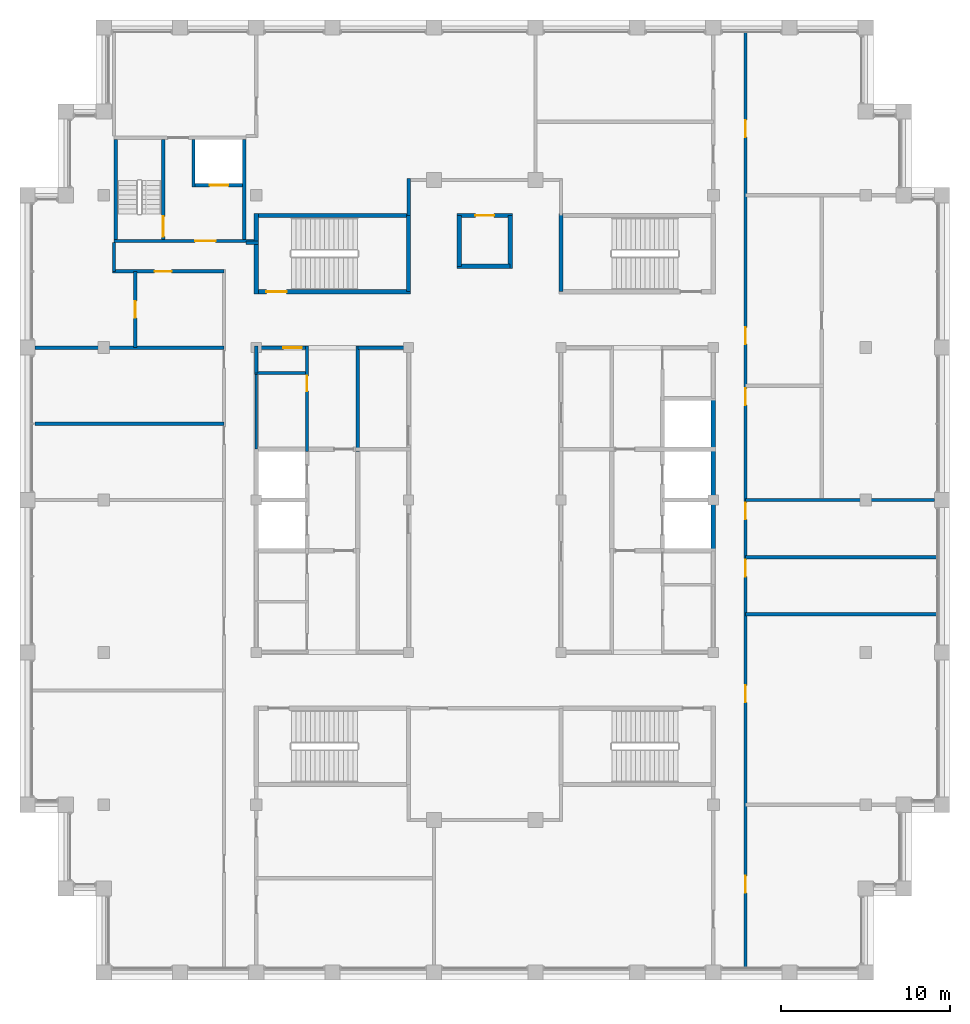
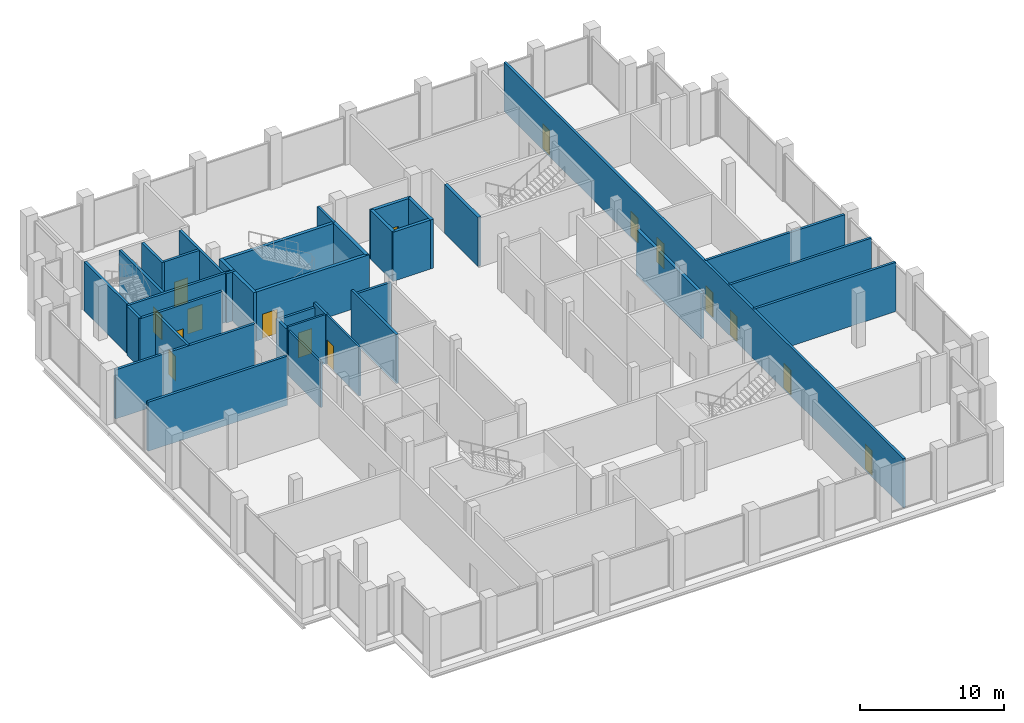
# One storey, part 10 of 13: 35 walls, 16 doors, 16 openings.
"""IFC4 building model written with IfcOpenShell, lengths in metres."""

from ifc_helpers import new_model, si_unit, direction, frame, frame_2d, origin, place, context, subcontext, project, spatial, rectangle, extrude, material, layer, layer_set, type_object, element, fill, save


model = new_model("IFC4")

# Units and contexts
model_context = context("Model", 3, precision=1e-05, world=origin(), true_north=direction((0.0, 1.0)))
body_context = subcontext(model_context, "Body", "Model", "MODEL_VIEW")
ifc_project = project(units=[si_unit("LENGTHUNIT", "METRE"), si_unit("AREAUNIT", "SQUARE_METRE"), si_unit("VOLUMEUNIT", "CUBIC_METRE"), si_unit("PLANEANGLEUNIT", "RADIAN"), si_unit("MASSUNIT", "GRAM", prefix="KILO")], contexts=[model_context])

# Site, building, storey
site_placement = place(None, origin())
site = spatial("IfcSite", under=ifc_project, at=site_placement, CompositionType="ELEMENT")
building_placement = place(site_placement, origin())
building = spatial("IfcBuilding", under=site, at=building_placement, Name="Corbelhall Arena Tower", CompositionType="ELEMENT")
storey_placement = place(building_placement, frame((0.0, 0.0, 361.0)))
storey = spatial("IfcBuildingStorey", under=building, at=storey_placement, Name="L79", CompositionType="ELEMENT", Elevation=361.0)

# Walls
ifc_material_1 = material(Name="Gypsum board on steel stud, acoustic", Category="steel")
ifc_layer_1 = layer(ifc_material_1, 0.199951171875)
ifc_layer_set_1 = layer_set([ifc_layer_1], Name="IN-W-DM200")
wall_type_1 = type_object("IfcWallType", Name="IN-W-DM200", PredefinedType="PARTITIONING", material=ifc_layer_set_1)
for number, where, z_axis, x_axis, name in (
    (1, (-26.550048828125, 4.5, 0.0), (0.0, 0.0, 1.0), (1.0, 0.0, 0.0), "Partition 002"),
    (2, (-26.550048828125, 9.0, 0.0), (0.0, 0.0, 1.0), (1.0, 0.0, 0.0), "Partition 003"),
):
    element("IfcWall", number, at=place(storey_placement, frame(where, z_axis=z_axis, x_axis=x_axis)), inside=storey, type_object=wall_type_1, Name=name, PredefinedType="PARTITIONING", context=body_context, shape_type="SweptSolid", body=[
        extrude(rectangle(XDim=11.150146484375, YDim=0.199951171875, at=frame_2d((5.5751953125, 0.0))), origin(), (0.0, 0.0, 1.0), 4.149658203125),
    ])
wall_1_placement = place(storey_placement, frame((-21.89990234375, 13.5, 0.0), z_axis=(0.0, 0.0, 1.0), x_axis=(0.0, 1.0, 0.0)))
element("IfcWall", 3, at=wall_1_placement, inside=storey, type_object=wall_type_1, Name="Partition 004", PredefinedType="PARTITIONING", context=body_context, shape_type="SweptSolid", body=[
    extrude(rectangle(XDim=1.699951171875, YDim=0.199951171875, at=frame_2d((0.85009765625, 0.0))), origin(), (0.0, 0.0, 1.0), 4.149658203125),
])

# Wall, opening, door
wall_2_placement = place(storey_placement, frame((-20.64990234375, 9.0, 0.0), z_axis=(0.0, 0.0, 1.0), x_axis=(0.0, 1.0, 0.0)))
wall_2 = element("IfcWall", 4, at=wall_2_placement, inside=storey, type_object=wall_type_1, Name="Partition 006", PredefinedType="PARTITIONING", context=body_context, shape_type="SweptSolid", body=[
    extrude(rectangle(XDim=4.5, YDim=0.199951171875, at=frame_2d((2.25, 0.0))), origin(), (0.0, 0.0, 1.0), 4.149658203125),
])
opening_1_placement = place(wall_2_placement, frame((1.75, 0.0, 0.0)))
opening_1 = element("IfcOpeningElement", 5, at=opening_1_placement, cuts=wall_2, Name="Opening 33030", PredefinedType="OPENING", context=body_context, shape_type="SweptSolid", body=[
    extrude(rectangle(XDim=1.0, YDim=2.10009765625, at=frame_2d((0.5, 1.050048828125))), frame((0.0, 0.10009765625, 0.0), z_axis=(0.0, -1.0, 0.0), x_axis=(1.0, 0.0, 0.0)), (0.0, 0.0, 1.0), 0.199951171875),
])
ifc_material_2 = material(Name="Steel door set", Category="steel")
door_type_1 = type_object("IfcDoorType", Name="IN-D-SW100", OperationType="NOTDEFINED", PredefinedType="DOOR", material=ifc_material_2)
door_1_placement = place(opening_1_placement, origin())
door_1 = element("IfcDoor", 6, at=door_1_placement, inside=storey, type_object=door_type_1, Name="Door 030", OperationType="SINGLE_SWING_LEFT", OverallHeight=2.10009765625, OverallWidth=1.0, PredefinedType="DOOR", context=body_context, shape_type="SweptSolid", body=[
    extrude(rectangle(XDim=1.0, YDim=2.10009765625, at=frame_2d((0.5, 1.050048828125))), frame((0.0, 0.02490234375, 0.0), z_axis=(0.0, -1.0, 0.0), x_axis=(1.0, 0.0, 0.0)), (0.0, 0.0, 1.0), 0.050048828125),
])
fill(opening_1, door_1)

wall_3_placement = place(storey_placement, frame((-15.39990234375, 13.5, 0.0), z_axis=(0.0, 0.0, 1.0), x_axis=(-1.0, 0.0, 0.0)))
wall_3 = element("IfcWall", 7, at=wall_3_placement, inside=storey, type_object=wall_type_1, Name="Partition 007", PredefinedType="PARTITIONING", context=body_context, shape_type="SweptSolid", body=[
    extrude(rectangle(XDim=6.60009765625, YDim=0.199951171875, at=frame_2d((3.300048828125, 0.0))), origin(), (0.0, 0.0, 1.0), 4.149658203125),
])
opening_2_placement = place(wall_3_placement, frame((3.10009765625, 0.0, 0.0)))
opening_2 = element("IfcOpeningElement", 8, at=opening_2_placement, cuts=wall_3, Name="Opening 33029", PredefinedType="OPENING", context=body_context, shape_type="SweptSolid", body=[
    extrude(rectangle(XDim=1.0, YDim=2.10009765625, at=frame_2d((0.5, 1.050048828125))), frame((0.0, 0.10009765625, 0.0), z_axis=(0.0, -1.0, 0.0), x_axis=(1.0, 0.0, 0.0)), (0.0, 0.0, 1.0), 0.199951171875),
])
door_2_placement = place(opening_2_placement, origin())
door_2 = element("IfcDoor", 9, at=door_2_placement, inside=storey, type_object=door_type_1, Name="Door 029", OperationType="SINGLE_SWING_RIGHT", OverallHeight=2.10009765625, OverallWidth=1.0, PredefinedType="DOOR", context=body_context, shape_type="SweptSolid", body=[
    extrude(rectangle(XDim=1.0, YDim=2.10009765625, at=frame_2d((0.5, 1.050048828125))), frame((0.0, 0.02490234375, 0.0), z_axis=(0.0, -1.0, 0.0), x_axis=(1.0, 0.0, 0.0)), (0.0, 0.0, 1.0), 0.050048828125),
])
fill(opening_2, door_2)

# Walls
wall_4_placement = place(storey_placement, frame((-14.10009765625, 15.199951171875, 0.0), z_axis=(0.0, 0.0, 1.0), x_axis=(1.0, 0.0, 0.0)))
element("IfcWall", 10, at=wall_4_placement, inside=storey, type_object=wall_type_1, Name="Partition 010", PredefinedType="PARTITIONING", context=body_context, shape_type="SweptSolid", body=[
    extrude(rectangle(XDim=0.72509765625, YDim=0.199951171875, at=frame_2d((0.362548828125, 0.0))), origin(), (0.0, 0.0, 1.0), 4.149658203125),
])
wall_5_placement = place(storey_placement, frame((-4.5, 16.800048828125, 0.0), z_axis=(0.0, 0.0, 1.0), x_axis=(0.0, 1.0, 0.0)))
element("IfcWall", 11, at=wall_5_placement, inside=storey, type_object=wall_type_1, Name="Partition 016", PredefinedType="PARTITIONING", context=body_context, shape_type="SweptSolid", body=[
    extrude(rectangle(XDim=2.199951171875, YDim=0.199951171875, at=frame_2d((1.10009765625, 0.0))), origin(), (0.0, 0.0, 1.0), 4.149658203125),
])

# Wall, openings, doors
wall_6_placement = place(storey_placement, frame((15.39990234375, 27.635986328125, 0.0), z_axis=(0.0, 0.0, 1.0), x_axis=(0.0, -1.0, 0.0)))
wall_6 = element("IfcWall", 12, at=wall_6_placement, inside=storey, type_object=wall_type_1, Name="Partition 028", PredefinedType="PARTITIONING", context=body_context, shape_type="SweptSolid", body=[
    extrude(rectangle(XDim=55.27197265625, YDim=0.199951171875, at=frame_2d((27.635986328125, 0.0))), origin(), (0.0, 0.0, 1.0), 4.149658203125),
])
opening_3_placement = place(wall_6_placement, frame((21.035888671875, 0.0, 0.0)))
opening_3 = element("IfcOpeningElement", 13, at=opening_3_placement, cuts=wall_6, Name="Opening 33033", PredefinedType="OPENING", context=body_context, shape_type="SweptSolid", body=[
    extrude(rectangle(XDim=1.0, YDim=2.10009765625, at=frame_2d((0.5, 1.050048828125))), frame((0.0, 0.10009765625, 0.0), z_axis=(0.0, -1.0, 0.0), x_axis=(1.0, 0.0, 0.0)), (0.0, 0.0, 1.0), 0.199951171875),
])
opening_4_placement = place(wall_6_placement, frame((17.43603515625, 0.0, 0.0)))
opening_4 = element("IfcOpeningElement", 14, at=opening_4_placement, cuts=wall_6, Name="Opening 33034", PredefinedType="OPENING", context=body_context, shape_type="SweptSolid", body=[
    extrude(rectangle(XDim=1.0, YDim=2.10009765625, at=frame_2d((0.5, 1.050048828125))), frame((0.0, 0.10009765625, 0.0), z_axis=(0.0, -1.0, 0.0), x_axis=(1.0, 0.0, 0.0)), (0.0, 0.0, 1.0), 0.199951171875),
])
opening_5_placement = place(wall_6_placement, frame((5.199951171875, 0.0, 0.0)))
opening_5 = element("IfcOpeningElement", 15, at=opening_5_placement, cuts=wall_6, Name="Opening 33036", PredefinedType="OPENING", context=body_context, shape_type="SweptSolid", body=[
    extrude(rectangle(XDim=1.0, YDim=2.10009765625, at=frame_2d((0.5, 1.050048828125))), frame((0.0, 0.10009765625, 0.0), z_axis=(0.0, -1.0, 0.0), x_axis=(1.0, 0.0, 0.0)), (0.0, 0.0, 1.0), 0.199951171875),
])
opening_6_placement = place(wall_6_placement, frame((49.8359375, 0.0, 0.0)))
opening_6 = element("IfcOpeningElement", 16, at=opening_6_placement, cuts=wall_6, Name="Opening 33037", PredefinedType="OPENING", context=body_context, shape_type="SweptSolid", body=[
    extrude(rectangle(XDim=1.0, YDim=2.10009765625, at=frame_2d((0.5, 1.050048828125))), frame((0.0, 0.10009765625, 0.0), z_axis=(0.0, -1.0, 0.0), x_axis=(1.0, 0.0, 0.0)), (0.0, 0.0, 1.0), 0.199951171875),
])
opening_7_placement = place(wall_6_placement, frame((38.5859375, 0.0, 0.0)))
opening_7 = element("IfcOpeningElement", 17, at=opening_7_placement, cuts=wall_6, Name="Opening 33038", PredefinedType="OPENING", context=body_context, shape_type="SweptSolid", body=[
    extrude(rectangle(XDim=1.0, YDim=2.10009765625, at=frame_2d((0.5, 1.050048828125))), frame((0.0, 0.10009765625, 0.0), z_axis=(0.0, -1.0, 0.0), x_axis=(1.0, 0.0, 0.0)), (0.0, 0.0, 1.0), 0.199951171875),
])
opening_8_placement = place(wall_6_placement, frame((31.160888671875, 0.0, 0.0)))
opening_8 = element("IfcOpeningElement", 18, at=opening_8_placement, cuts=wall_6, Name="Opening 33039", PredefinedType="OPENING", context=body_context, shape_type="SweptSolid", body=[
    extrude(rectangle(XDim=1.0, YDim=2.10009765625, at=frame_2d((0.5, 1.050048828125))), frame((0.0, 0.10009765625, 0.0), z_axis=(0.0, -1.0, 0.0), x_axis=(1.0, 0.0, 0.0)), (0.0, 0.0, 1.0), 0.199951171875),
])
opening_9_placement = place(wall_6_placement, frame((27.785888671875, 0.0, 0.0)))
opening_9 = element("IfcOpeningElement", 19, at=opening_9_placement, cuts=wall_6, Name="Opening 33040", PredefinedType="OPENING", context=body_context, shape_type="SweptSolid", body=[
    extrude(rectangle(XDim=1.0, YDim=2.10009765625, at=frame_2d((0.5, 1.050048828125))), frame((0.0, 0.10009765625, 0.0), z_axis=(0.0, -1.0, 0.0), x_axis=(1.0, 0.0, 0.0)), (0.0, 0.0, 1.0), 0.199951171875),
])
door_3_placement = place(opening_3_placement, origin())
door_3 = element("IfcDoor", 20, at=door_3_placement, inside=storey, type_object=door_type_1, Name="Door 033", OperationType="SINGLE_SWING_RIGHT", OverallHeight=2.10009765625, OverallWidth=1.0, PredefinedType="DOOR", context=body_context, shape_type="SweptSolid", body=[
    extrude(rectangle(XDim=1.0, YDim=2.10009765625, at=frame_2d((0.5, 1.050048828125))), frame((0.0, 0.02490234375, 0.0), z_axis=(0.0, -1.0, 0.0), x_axis=(1.0, 0.0, 0.0)), (0.0, 0.0, 1.0), 0.050048828125),
])
fill(opening_3, door_3)
door_4_placement = place(opening_4_placement, origin())
door_4 = element("IfcDoor", 21, at=door_4_placement, inside=storey, type_object=door_type_1, Name="Door 034", OperationType="SINGLE_SWING_LEFT", OverallHeight=2.10009765625, OverallWidth=1.0, PredefinedType="DOOR", context=body_context, shape_type="SweptSolid", body=[
    extrude(rectangle(XDim=1.0, YDim=2.10009765625, at=frame_2d((0.5, 1.050048828125))), frame((0.0, 0.02490234375, 0.0), z_axis=(0.0, -1.0, 0.0), x_axis=(1.0, 0.0, 0.0)), (0.0, 0.0, 1.0), 0.050048828125),
])
fill(opening_4, door_4)
door_5_placement = place(opening_5_placement, origin())
door_5 = element("IfcDoor", 22, at=door_5_placement, inside=storey, type_object=door_type_1, Name="Door 036", OperationType="SINGLE_SWING_LEFT", OverallHeight=2.10009765625, OverallWidth=1.0, PredefinedType="DOOR", context=body_context, shape_type="SweptSolid", body=[
    extrude(rectangle(XDim=1.0, YDim=2.10009765625, at=frame_2d((0.5, 1.050048828125))), frame((0.0, 0.02490234375, 0.0), z_axis=(0.0, -1.0, 0.0), x_axis=(1.0, 0.0, 0.0)), (0.0, 0.0, 1.0), 0.050048828125),
])
fill(opening_5, door_5)
door_6_placement = place(opening_6_placement, origin())
door_6 = element("IfcDoor", 23, at=door_6_placement, inside=storey, type_object=door_type_1, Name="Door 037", OperationType="SINGLE_SWING_RIGHT", OverallHeight=2.10009765625, OverallWidth=1.0, PredefinedType="DOOR", context=body_context, shape_type="SweptSolid", body=[
    extrude(rectangle(XDim=1.0, YDim=2.10009765625, at=frame_2d((0.5, 1.050048828125))), frame((0.0, 0.02490234375, 0.0), z_axis=(0.0, -1.0, 0.0), x_axis=(1.0, 0.0, 0.0)), (0.0, 0.0, 1.0), 0.050048828125),
])
fill(opening_6, door_6)
door_7_placement = place(opening_7_placement, origin())
door_7 = element("IfcDoor", 24, at=door_7_placement, inside=storey, type_object=door_type_1, Name="Door 038", OperationType="SINGLE_SWING_LEFT", OverallHeight=2.10009765625, OverallWidth=1.0, PredefinedType="DOOR", context=body_context, shape_type="SweptSolid", body=[
    extrude(rectangle(XDim=1.0, YDim=2.10009765625, at=frame_2d((0.5, 1.050048828125))), frame((0.0, 0.02490234375, 0.0), z_axis=(0.0, -1.0, 0.0), x_axis=(1.0, 0.0, 0.0)), (0.0, 0.0, 1.0), 0.050048828125),
])
fill(opening_7, door_7)
door_8_placement = place(opening_8_placement, origin())
door_8 = element("IfcDoor", 25, at=door_8_placement, inside=storey, type_object=door_type_1, Name="Door 039", OperationType="SINGLE_SWING_RIGHT", OverallHeight=2.10009765625, OverallWidth=1.0, PredefinedType="DOOR", context=body_context, shape_type="SweptSolid", body=[
    extrude(rectangle(XDim=1.0, YDim=2.10009765625, at=frame_2d((0.5, 1.050048828125))), frame((0.0, 0.02490234375, 0.0), z_axis=(0.0, -1.0, 0.0), x_axis=(1.0, 0.0, 0.0)), (0.0, 0.0, 1.0), 0.050048828125),
])
fill(opening_8, door_8)
door_9_placement = place(opening_9_placement, origin())
door_9 = element("IfcDoor", 26, at=door_9_placement, inside=storey, type_object=door_type_1, Name="Door 040", OperationType="SINGLE_SWING_LEFT", OverallHeight=2.10009765625, OverallWidth=1.0, PredefinedType="DOOR", context=body_context, shape_type="SweptSolid", body=[
    extrude(rectangle(XDim=1.0, YDim=2.10009765625, at=frame_2d((0.5, 1.050048828125))), frame((0.0, 0.02490234375, 0.0), z_axis=(0.0, -1.0, 0.0), x_axis=(1.0, 0.0, 0.0)), (0.0, 0.0, 1.0), 0.050048828125),
])
fill(opening_9, door_9)

# Walls
for number, where, z_axis, x_axis, name in (
    (27, (15.39990234375, -6.75, 0.0), (0.0, 0.0, 1.0), (1.0, 0.0, 0.0), "Partition 029"),
    (28, (15.39990234375, -3.375, 0.0), (0.0, 0.0, 1.0), (1.0, 0.0, 0.0), "Partition 030"),
):
    element("IfcWall", number, at=place(storey_placement, frame(where, z_axis=z_axis, x_axis=x_axis)), inside=storey, type_object=wall_type_1, Name=name, PredefinedType="PARTITIONING", context=body_context, shape_type="SweptSolid", body=[
        extrude(rectangle(XDim=11.336181640625, YDim=0.199951171875, at=frame_2d((5.66796875, 0.0))), origin(), (0.0, 0.0, 1.0), 4.149658203125),
    ])
wall_7_placement = place(storey_placement, frame((26.550048828125, 0.0, 0.0), z_axis=(0.0, 0.0, 1.0), x_axis=(-1.0, 0.0, 0.0)))
element("IfcWall", 29, at=wall_7_placement, inside=storey, type_object=wall_type_1, Name="Partition 033", PredefinedType="PARTITIONING", context=body_context, shape_type="SweptSolid", body=[
    extrude(rectangle(XDim=11.150146484375, YDim=0.199951171875, at=frame_2d((5.5751953125, 0.0))), origin(), (0.0, 0.0, 1.0), 4.149658203125),
])

# Wall, opening, door
ifc_material_3 = material(Name="Concrete C40/50", Category="concrete")
ifc_layer_2 = layer(ifc_material_3, 0.199951171875)
ifc_layer_set_2 = layer_set([ifc_layer_2], Name="IN-W-EAR200")
wall_type_2 = type_object("IfcWallType", Name="IN-W-EAR200", PredefinedType="SOLIDWALL", material=ifc_layer_set_2)
wall_8_placement = place(storey_placement, frame((-21.89990234375, 15.300048828125, 0.0), z_axis=(0.0, 0.0, 1.0), x_axis=(1.0, 0.0, 0.0)))
wall_8 = element("IfcWall", 30, at=wall_8_placement, inside=storey, type_object=wall_type_2, Name="Fire service turret wall south", PredefinedType="SOLIDWALL", context=body_context, shape_type="SweptSolid", body=[
    extrude(rectangle(XDim=8.27490234375, YDim=0.199951171875, at=frame_2d((4.137451171875, 0.0))), origin(), (0.0, 0.0, 1.0), 4.149658203125),
])
opening_10_placement = place(wall_8_placement, frame((4.800048828125, 0.0, 0.0)))
opening_10 = element("IfcOpeningElement", 31, at=opening_10_placement, cuts=wall_8, Name="Opening E332", PredefinedType="OPENING", context=body_context, shape_type="SweptSolid", body=[
    extrude(rectangle(XDim=1.199951171875, YDim=2.10009765625, at=frame_2d((0.60009765625, 1.050048828125))), frame((0.0, 0.10009765625, 0.0), z_axis=(0.0, -1.0, 0.0), x_axis=(1.0, 0.0, 0.0)), (0.0, 0.0, 1.0), 0.199951171875),
])
door_type_2 = type_object("IfcDoorType", Name="IN-D-ST120", OperationType="NOTDEFINED", PredefinedType="DOOR", material=ifc_material_2)
door_10_placement = place(opening_10_placement, origin())
door_10 = element("IfcDoor", 32, at=door_10_placement, inside=storey, type_object=door_type_2, Name="Door from fire service lift lobby to circulation", OperationType="SINGLE_SWING_RIGHT", OverallHeight=2.10009765625, OverallWidth=1.199951171875, PredefinedType="DOOR", context=body_context, shape_type="SweptSolid", body=[
    extrude(rectangle(XDim=1.199951171875, YDim=2.10009765625, at=frame_2d((0.60009765625, 1.050048828125))), frame((0.0, 0.02490234375, 0.0), z_axis=(0.0, -1.0, 0.0), x_axis=(1.0, 0.0, 0.0)), (0.0, 0.0, 1.0), 0.050048828125),
])
fill(opening_10, door_10)

# Walls
for number, where, z_axis, x_axis, name in (
    (33, (-21.800048828125, 15.39990234375, 0.0), (0.0, 0.0, 1.0), (0.0, 1.0, 0.0), "Fire service turret wall west"),
    (34, (-14.199951171875, 15.39990234375, 0.0), (0.0, 0.0, 1.0), (0.0, 1.0, 0.0), "Fire service turret wall east"),
):
    element("IfcWall", number, at=place(storey_placement, frame(where, z_axis=z_axis, x_axis=x_axis)), inside=storey, type_object=wall_type_2, Name=name, PredefinedType="SOLIDWALL", context=body_context, shape_type="SweptSolid", body=[
        extrude(rectangle(XDim=5.900146484375, YDim=0.199951171875, at=frame_2d((2.9501953125, 0.0))), origin(), (0.0, 0.0, 1.0), 4.149658203125),
    ])

# Wall, opening, door
wall_9_placement = place(storey_placement, frame((-18.989990234375, 15.39990234375, 0.0), z_axis=(0.0, 0.0, 1.0), x_axis=(0.0, 1.0, 0.0)))
wall_9 = element("IfcWall", 35, at=wall_9_placement, inside=storey, type_object=wall_type_2, Name="Fire service turret wall stair", PredefinedType="SOLIDWALL", context=body_context, shape_type="SweptSolid", body=[
    extrude(rectangle(XDim=5.900146484375, YDim=0.199951171875, at=frame_2d((2.9501953125, 0.0))), origin(), (0.0, 0.0, 1.0), 4.149658203125),
])
opening_11_placement = place(wall_9_placement, frame((0.14990234375, 0.0, 0.0)))
opening_11 = element("IfcOpeningElement", 36, at=opening_11_placement, cuts=wall_9, Name="Opening E331", PredefinedType="OPENING", context=body_context, shape_type="SweptSolid", body=[
    extrude(rectangle(XDim=1.199951171875, YDim=2.10009765625, at=frame_2d((0.60009765625, 1.050048828125))), frame((0.0, 0.10009765625, 0.0), z_axis=(0.0, -1.0, 0.0), x_axis=(1.0, 0.0, 0.0)), (0.0, 0.0, 1.0), 0.199951171875),
])
door_11_placement = place(opening_11_placement, origin())
door_11 = element("IfcDoor", 37, at=door_11_placement, inside=storey, type_object=door_type_2, Name="Stair door to fire service lobby", OperationType="SINGLE_SWING_LEFT", OverallHeight=2.10009765625, OverallWidth=1.199951171875, PredefinedType="DOOR", context=body_context, shape_type="SweptSolid", body=[
    extrude(rectangle(XDim=1.199951171875, YDim=2.10009765625, at=frame_2d((0.60009765625, 1.050048828125))), frame((0.0, 0.02490234375, 0.0), z_axis=(0.0, -1.0, 0.0), x_axis=(1.0, 0.0, 0.0)), (0.0, 0.0, 1.0), 0.050048828125),
])
fill(opening_11, door_11)

# Wall
wall_10_placement = place(storey_placement, frame((-17.199951171875, 18.5, 0.0), z_axis=(0.0, 0.0, 1.0), x_axis=(0.0, 1.0, 0.0)))
element("IfcWall", 38, at=wall_10_placement, inside=storey, type_object=wall_type_2, Name="Fire service turret wall hoistway west", PredefinedType="SOLIDWALL", context=body_context, shape_type="SweptSolid", body=[
    extrude(rectangle(XDim=2.800048828125, YDim=0.199951171875, at=frame_2d((1.39990234375, 0.0))), origin(), (0.0, 0.0, 1.0), 4.149658203125),
])

# Wall, opening, door
wall_11_placement = place(storey_placement, frame((-17.10009765625, 18.60009765625, 0.0), z_axis=(0.0, 0.0, 1.0), x_axis=(1.0, 0.0, 0.0)))
wall_11 = element("IfcWall", 39, at=wall_11_placement, inside=storey, type_object=wall_type_2, Name="Fire service turret wall hoistway south", PredefinedType="SOLIDWALL", context=body_context, shape_type="SweptSolid", body=[
    extrude(rectangle(XDim=2.800048828125, YDim=0.199951171875, at=frame_2d((1.39990234375, 0.0))), origin(), (0.0, 0.0, 1.0), 4.149658203125),
])
opening_12_placement = place(wall_11_placement, frame((0.85009765625, 0.0, 0.0)))
opening_12 = element("IfcOpeningElement", 40, at=opening_12_placement, cuts=wall_11, Name="Opening LD", PredefinedType="OPENING", context=body_context, shape_type="SweptSolid", body=[
    extrude(rectangle(XDim=1.10009765625, YDim=2.10009765625, at=frame_2d((0.550048828125, 1.050048828125))), frame((0.0, 0.10009765625, 0.0), z_axis=(0.0, -1.0, 0.0), x_axis=(1.0, 0.0, 0.0)), (0.0, 0.0, 1.0), 0.199951171875),
])
door_type_3 = type_object("IfcDoorType", Name="IN-D-LD110", OperationType="NOTDEFINED", PredefinedType="DOOR", material=ifc_material_2)
door_12_placement = place(opening_12_placement, origin())
door_12 = element("IfcDoor", 41, at=door_12_placement, inside=storey, type_object=door_type_3, Name="Landing door FS1", OperationType="SLIDING_TO_LEFT", OverallHeight=2.10009765625, OverallWidth=1.10009765625, PredefinedType="DOOR", context=body_context, shape_type="SweptSolid", body=[
    extrude(rectangle(XDim=1.10009765625, YDim=2.10009765625, at=frame_2d((0.550048828125, 1.050048828125))), frame((0.0, 0.02490234375, 0.0), z_axis=(0.0, -1.0, 0.0), x_axis=(1.0, 0.0, 0.0)), (0.0, 0.0, 1.0), 0.050048828125),
])
fill(opening_12, door_12)

# Walls
ifc_material_4 = material(Name="Concrete block wall", Category="concrete")
ifc_layer_3 = layer(ifc_material_4, 0.199951171875)
ifc_layer_set_3 = layer_set([ifc_layer_3], Name="IN-W-RS200")
wall_type_3 = type_object("IfcWallType", Name="IN-W-RS200", PredefinedType="SOLIDWALL", material=ifc_layer_set_3)
wall_12_placement = place(storey_placement, frame((-10.5, 7.425048828125, 0.0), z_axis=(0.0, 0.0, 1.0), x_axis=(0.0, 1.0, 0.0)))
element("IfcWall", 42, at=wall_12_placement, inside=storey, type_object=wall_type_3, Name="Partition 039", PredefinedType="SOLIDWALL", context=body_context, shape_type="SweptSolid", body=[
    extrude(rectangle(XDim=1.675048828125, YDim=0.199951171875, at=frame_2d((0.83740234375, 0.0))), origin(), (0.0, 0.0, 1.0), 4.149658203125),
])
wall_13_placement = place(storey_placement, frame((-7.5, 2.875, 0.0), z_axis=(0.0, 0.0, 1.0), x_axis=(0.0, 1.0, 0.0)))
element("IfcWall", 43, at=wall_13_placement, inside=storey, type_object=wall_type_3, Name="Partition 042", PredefinedType="SOLIDWALL", context=body_context, shape_type="SweptSolid", body=[
    extrude(rectangle(XDim=6.22509765625, YDim=0.199951171875, at=frame_2d((3.112548828125, 0.0))), origin(), (0.0, 0.0, 1.0), 4.149658203125),
])
ifc_layer_4 = layer(ifc_material_4, 0.199951171875)
ifc_layer_set_4 = layer_set([ifc_layer_4], Name="IN-W-RS200 under beam 312 mm")
wall_type_4 = type_object("IfcWallType", Name="IN-W-RS200 under beam 312 mm", PredefinedType="SOLIDWALL", material=ifc_layer_set_4)
wall_14_placement = place(storey_placement, frame((-13.5, 7.5, 0.0), z_axis=(0.0, 0.0, 1.0), x_axis=(0.0, 1.0, 0.0)))
element("IfcWall", 44, at=wall_14_placement, inside=storey, type_object=wall_type_4, Name="Partition 036", PredefinedType="SOLIDWALL", context=body_context, shape_type="SweptSolid", body=[
    extrude(rectangle(XDim=1.60009765625, YDim=0.199951171875, at=frame_2d((0.800048828125, 0.0))), origin(), (0.0, 0.0, 1.0), 3.837646484375),
])

# Wall, opening, door
wall_15_placement = place(storey_placement, frame((-13.5, 9.0, 0.0), z_axis=(0.0, 0.0, 1.0), x_axis=(1.0, 0.0, 0.0)))
wall_15 = element("IfcWall", 45, at=wall_15_placement, inside=storey, type_object=wall_type_4, Name="Partition 037", PredefinedType="SOLIDWALL", context=body_context, shape_type="SweptSolid", body=[
    extrude(rectangle(XDim=3.0, YDim=0.199951171875, at=frame_2d((1.5, 0.0))), origin(), (0.0, 0.0, 1.0), 3.837646484375),
])
opening_13_placement = place(wall_15_placement, frame((1.60009765625, 0.0, 0.0)))
opening_13 = element("IfcOpeningElement", 46, at=opening_13_placement, cuts=wall_15, Name="Opening 33008", PredefinedType="OPENING", context=body_context, shape_type="SweptSolid", body=[
    extrude(rectangle(XDim=1.10009765625, YDim=2.10009765625, at=frame_2d((0.550048828125, 1.050048828125))), frame((0.0, 0.10009765625, 0.0), z_axis=(0.0, -1.0, 0.0), x_axis=(1.0, 0.0, 0.0)), (0.0, 0.0, 1.0), 0.199951171875),
])
door_type_4 = type_object("IfcDoorType", Name="IN-D-FD110", OperationType="NOTDEFINED", PredefinedType="DOOR", material=ifc_material_2)
door_13_placement = place(opening_13_placement, origin())
door_13 = element("IfcDoor", 47, at=door_13_placement, inside=storey, type_object=door_type_4, Name="Door 008", OperationType="SINGLE_SWING_LEFT", OverallHeight=2.10009765625, OverallWidth=1.10009765625, PredefinedType="DOOR", context=body_context, shape_type="SweptSolid", body=[
    extrude(rectangle(XDim=1.10009765625, YDim=2.10009765625, at=frame_2d((0.550048828125, 1.050048828125))), frame((0.0, 0.02490234375, 0.0), z_axis=(0.0, -1.0, 0.0), x_axis=(1.0, 0.0, 0.0)), (0.0, 0.0, 1.0), 0.050048828125),
])
fill(opening_13, door_13)

# Wall
wall_16_placement = place(storey_placement, frame((-7.5, 9.0, 0.0), z_axis=(0.0, 0.0, 1.0), x_axis=(1.0, 0.0, 0.0)))
element("IfcWall", 48, at=wall_16_placement, inside=storey, type_object=wall_type_4, Name="Partition 043", PredefinedType="SOLIDWALL", context=body_context, shape_type="SweptSolid", body=[
    extrude(rectangle(XDim=3.0, YDim=0.199951171875, at=frame_2d((1.5, 0.0))), origin(), (0.0, 0.0, 1.0), 3.837646484375),
])

# Wall, opening, door
ifc_layer_5 = layer(ifc_material_3, 0.25)
ifc_layer_set_5 = layer_set([ifc_layer_5], Name="IN-W-SH250")
wall_type_5 = type_object("IfcWallType", Name="IN-W-SH250", PredefinedType="SOLIDWALL", material=ifc_layer_set_5)
wall_17_placement = place(storey_placement, frame((-1.625, 16.800048828125, 0.0), z_axis=(0.0, 0.0, 1.0), x_axis=(1.0, 0.0, 0.0)))
wall_17 = element("IfcWall", 49, at=wall_17_placement, inside=storey, type_object=wall_type_5, Name="Shaft wall 063", PredefinedType="SOLIDWALL", context=body_context, shape_type="SweptSolid", body=[
    extrude(rectangle(XDim=3.25, YDim=0.25, at=frame_2d((1.625, 0.0))), origin(), (0.0, 0.0, 1.0), 4.149658203125),
])
opening_14_placement = place(wall_17_placement, frame((1.074951171875, 0.0, 0.0)))
opening_14 = element("IfcOpeningElement", 50, at=opening_14_placement, cuts=wall_17, Name="Opening LD", PredefinedType="OPENING", context=body_context, shape_type="SweptSolid", body=[
    extrude(rectangle(XDim=1.10009765625, YDim=2.10009765625, at=frame_2d((0.550048828125, 1.050048828125))), frame((0.0, 0.125, 0.0), z_axis=(0.0, -1.0, 0.0), x_axis=(1.0, 0.0, 0.0)), (0.0, 0.0, 1.0), 0.25),
])
door_14_placement = place(opening_14_placement, origin())
door_14 = element("IfcDoor", 51, at=door_14_placement, inside=storey, type_object=door_type_3, Name="Landing door C1", OperationType="SLIDING_TO_LEFT", OverallHeight=2.10009765625, OverallWidth=1.10009765625, PredefinedType="DOOR", context=body_context, shape_type="SweptSolid", body=[
    extrude(rectangle(XDim=1.10009765625, YDim=2.10009765625, at=frame_2d((0.550048828125, 1.050048828125))), frame((0.0, 0.02490234375, 0.0), z_axis=(0.0, -1.0, 0.0), x_axis=(1.0, 0.0, 0.0)), (0.0, 0.0, 1.0), 0.050048828125),
])
fill(opening_14, door_14)

# Walls
wall_18_placement = place(storey_placement, frame((-1.5, 13.800048828125, 0.0), z_axis=(0.0, 0.0, 1.0), x_axis=(0.0, 1.0, 0.0)))
element("IfcWall", 52, at=wall_18_placement, inside=storey, type_object=wall_type_5, Name="Shaft wall 064", PredefinedType="SOLIDWALL", context=body_context, shape_type="SweptSolid", body=[
    extrude(rectangle(XDim=3.0, YDim=0.25, at=frame_2d((1.5, 0.0))), origin(), (0.0, 0.0, 1.0), 4.149658203125),
])
for number, where, z_axis, x_axis, name in (
    (53, (1.5, 13.800048828125, 0.0), (0.0, 0.0, 1.0), (-1.0, 0.0, 0.0), "Shaft wall 065"),
    (54, (1.5, 16.800048828125, 0.0), (0.0, 0.0, 1.0), (0.0, -1.0, 0.0), "Shaft wall 066"),
):
    element("IfcWall", number, at=place(storey_placement, frame(where, z_axis=z_axis, x_axis=x_axis)), inside=storey, type_object=wall_type_5, Name=name, PredefinedType="SOLIDWALL", context=body_context, shape_type="SweptSolid", body=[
        extrude(rectangle(XDim=3.125, YDim=0.25, at=frame_2d((1.5625, 0.0))), origin(), (0.0, 0.0, 1.0), 4.149658203125),
    ])
ifc_layer_6 = layer(ifc_material_3, 0.25)
ifc_layer_set_6 = layer_set([ifc_layer_6], Name="IN-W-SH250 under beam 312 mm")
wall_type_6 = type_object("IfcWallType", Name="IN-W-SH250 under beam 312 mm", PredefinedType="SOLIDWALL", material=ifc_layer_set_6)
wall_19_placement = place(storey_placement, frame((13.5, 6.0, 0.0), z_axis=(0.0, 0.0, 1.0), x_axis=(0.0, -1.0, 0.0)))
element("IfcWall", 55, at=wall_19_placement, inside=storey, type_object=wall_type_6, Name="Shaft wall 073", PredefinedType="SOLIDWALL", context=body_context, shape_type="SweptSolid", body=[
    extrude(rectangle(XDim=9.0, YDim=0.25, at=frame_2d((4.5, 0.0))), origin(), (0.0, 0.0, 1.0), 3.837646484375),
])

# Wall, opening, door
ifc_layer_7 = layer(ifc_material_3, 0.25)
ifc_layer_set_7 = layer_set([ifc_layer_7], Name="IN-W-ST250")
wall_type_7 = type_object("IfcWallType", Name="IN-W-ST250", PredefinedType="SOLIDWALL", material=ifc_layer_set_7)
wall_20_placement = place(storey_placement, frame((-13.5, 12.300048828125, 0.0), z_axis=(0.0, 0.0, 1.0), x_axis=(1.0, 0.0, 0.0)))
wall_20 = element("IfcWall", 56, at=wall_20_placement, inside=storey, type_object=wall_type_7, Name="Shaft wall 075", PredefinedType="SOLIDWALL", context=body_context, shape_type="SweptSolid", body=[
    extrude(rectangle(XDim=9.125, YDim=0.25, at=frame_2d((4.5625, 0.0))), origin(), (0.0, 0.0, 1.0), 4.149658203125),
])
opening_15_placement = place(wall_20_placement, frame((0.60009765625, 0.0, 0.0)))
opening_15 = element("IfcOpeningElement", 57, at=opening_15_placement, cuts=wall_20, Name="Opening 33016", PredefinedType="OPENING", context=body_context, shape_type="SweptSolid", body=[
    extrude(rectangle(XDim=1.199951171875, YDim=2.10009765625, at=frame_2d((0.60009765625, 1.050048828125))), frame((0.0, 0.125, 0.0), z_axis=(0.0, -1.0, 0.0), x_axis=(1.0, 0.0, 0.0)), (0.0, 0.0, 1.0), 0.25),
])
door_15_placement = place(opening_15_placement, origin())
door_15 = element("IfcDoor", 58, at=door_15_placement, inside=storey, type_object=door_type_2, Name="Door 016", OperationType="SINGLE_SWING_LEFT", OverallHeight=2.10009765625, OverallWidth=1.199951171875, PredefinedType="DOOR", context=body_context, shape_type="SweptSolid", body=[
    extrude(rectangle(XDim=1.199951171875, YDim=2.10009765625, at=frame_2d((0.60009765625, 1.050048828125))), frame((0.0, 0.02490234375, 0.0), z_axis=(0.0, -1.0, 0.0), x_axis=(1.0, 0.0, 0.0)), (0.0, 0.0, 1.0), 0.050048828125),
])
fill(opening_15, door_15)

# Walls
wall_21_placement = place(storey_placement, frame((-13.5, 12.175048828125, 0.0), z_axis=(0.0, 0.0, 1.0), x_axis=(0.0, 1.0, 0.0)))
element("IfcWall", 59, at=wall_21_placement, inside=storey, type_object=wall_type_7, Name="Shaft wall 076", PredefinedType="SOLIDWALL", context=body_context, shape_type="SweptSolid", body=[
    extrude(rectangle(XDim=4.75, YDim=0.25, at=frame_2d((2.375, 0.0))), origin(), (0.0, 0.0, 1.0), 4.149658203125),
])
wall_22_placement = place(storey_placement, frame((-13.5, 16.800048828125, 0.0), z_axis=(0.0, 0.0, 1.0), x_axis=(1.0, 0.0, 0.0)))
element("IfcWall", 60, at=wall_22_placement, inside=storey, type_object=wall_type_7, Name="Shaft wall 077", PredefinedType="SOLIDWALL", context=body_context, shape_type="SweptSolid", body=[
    extrude(rectangle(XDim=9.10009765625, YDim=0.25, at=frame_2d((4.550048828125, 0.0))), origin(), (0.0, 0.0, 1.0), 4.149658203125),
])
for number, where, z_axis, x_axis, name in (
    (61, (-4.5, 16.925048828125, 0.0), (0.0, 0.0, 1.0), (0.0, -1.0, 0.0), "Shaft wall 079"),
    (62, (4.5, 12.300048828125, 0.0), (0.0, 0.0, 1.0), (0.0, 1.0, 0.0), "Shaft wall 085"),
):
    element("IfcWall", number, at=place(storey_placement, frame(where, z_axis=z_axis, x_axis=x_axis)), inside=storey, type_object=wall_type_7, Name=name, PredefinedType="SOLIDWALL", context=body_context, shape_type="SweptSolid", body=[
        extrude(rectangle(XDim=4.625, YDim=0.25, at=frame_2d((2.3125, 0.0))), origin(), (0.0, 0.0, 1.0), 4.149658203125),
    ])
ifc_material_5 = material(Name="Gypsum board on steel stud, moisture resistant", Category="steel")
ifc_layer_8 = layer(ifc_material_5, 0.14990234375)
ifc_layer_set_8 = layer_set([ifc_layer_8], Name="IN-W-WC150")
wall_type_8 = type_object("IfcWallType", Name="IN-W-WC150", PredefinedType="PARTITIONING", material=ifc_layer_set_8)
wall_23_placement = place(storey_placement, frame((-13.60009765625, 7.5, 0.0), z_axis=(0.0, 0.0, 1.0), x_axis=(1.0, 0.0, 0.0)))
element("IfcWall", 63, at=wall_23_placement, inside=storey, type_object=wall_type_8, Name="Partition 091", PredefinedType="PARTITIONING", context=body_context, shape_type="SweptSolid", body=[
    extrude(rectangle(XDim=3.10009765625, YDim=0.14990234375, at=frame_2d((1.550048828125, 0.0))), origin(), (0.0, 0.0, 1.0), 4.149658203125),
])

# Wall, opening, door
wall_24_placement = place(storey_placement, frame((-10.5, 2.875, 0.0), z_axis=(0.0, 0.0, 1.0), x_axis=(0.0, 1.0, 0.0)))
wall_24 = element("IfcWall", 64, at=wall_24_placement, inside=storey, type_object=wall_type_8, Name="Partition 096", PredefinedType="PARTITIONING", context=body_context, shape_type="SweptSolid", body=[
    extrude(rectangle(XDim=4.699951171875, YDim=0.14990234375, at=frame_2d((2.35009765625, 0.0))), origin(), (0.0, 0.0, 1.0), 4.149658203125),
])
opening_16_placement = place(wall_24_placement, frame((3.550048828125, 0.0, 0.0)))
opening_16 = element("IfcOpeningElement", 65, at=opening_16_placement, cuts=wall_24, Name="Opening 33007", PredefinedType="OPENING", context=body_context, shape_type="SweptSolid", body=[
    extrude(rectangle(XDim=0.89990234375, YDim=2.10009765625, at=frame_2d((0.449951171875, 1.050048828125))), frame((0.0, 0.074951171875, 0.0), z_axis=(0.0, -1.0, 0.0), x_axis=(1.0, 0.0, 0.0)), (0.0, 0.0, 1.0), 0.14990234375),
])
ifc_material_6 = material(Name="Timber door set", Category="wood")
door_type_5 = type_object("IfcDoorType", Name="IN-D-SW90", OperationType="NOTDEFINED", PredefinedType="DOOR", material=ifc_material_6)
door_16_placement = place(opening_16_placement, origin())
door_16 = element("IfcDoor", 66, at=door_16_placement, inside=storey, type_object=door_type_5, Name="Door 007", OperationType="SINGLE_SWING_RIGHT", OverallHeight=2.10009765625, OverallWidth=0.89990234375, PredefinedType="DOOR", context=body_context, shape_type="SweptSolid", body=[
    extrude(rectangle(XDim=0.89990234375, YDim=2.10009765625, at=frame_2d((0.449951171875, 1.050048828125))), frame((0.0, 0.02490234375, 0.0), z_axis=(0.0, -1.0, 0.0), x_axis=(1.0, 0.0, 0.0)), (0.0, 0.0, 1.0), 0.050048828125),
])
fill(opening_16, door_16)

# Wall
ifc_layer_9 = layer(ifc_material_5, 0.14990234375)
ifc_layer_set_9 = layer_set([ifc_layer_9], Name="IN-W-WC150 under beam 312 mm")
wall_type_9 = type_object("IfcWallType", Name="IN-W-WC150 under beam 312 mm", PredefinedType="PARTITIONING", material=ifc_layer_set_9)
wall_25_placement = place(storey_placement, frame((-13.5, 3.0, 0.0), z_axis=(0.0, 0.0, 1.0), x_axis=(0.0, 1.0, 0.0)))
element("IfcWall", 67, at=wall_25_placement, inside=storey, type_object=wall_type_9, Name="Partition 093", PredefinedType="PARTITIONING", context=body_context, shape_type="SweptSolid", body=[
    extrude(rectangle(XDim=4.5, YDim=0.14990234375, at=frame_2d((2.25, 0.0))), origin(), (0.0, 0.0, 1.0), 3.837646484375),
])

save(model, "model.ifc")
